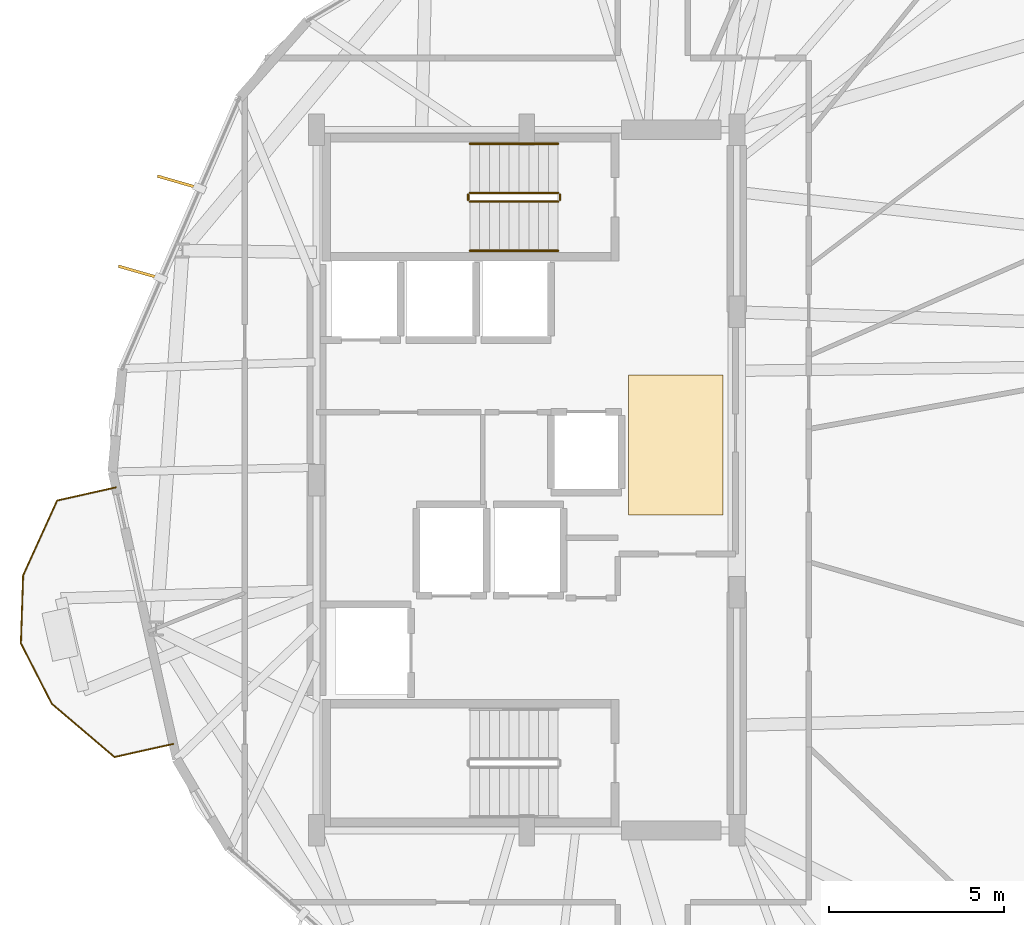
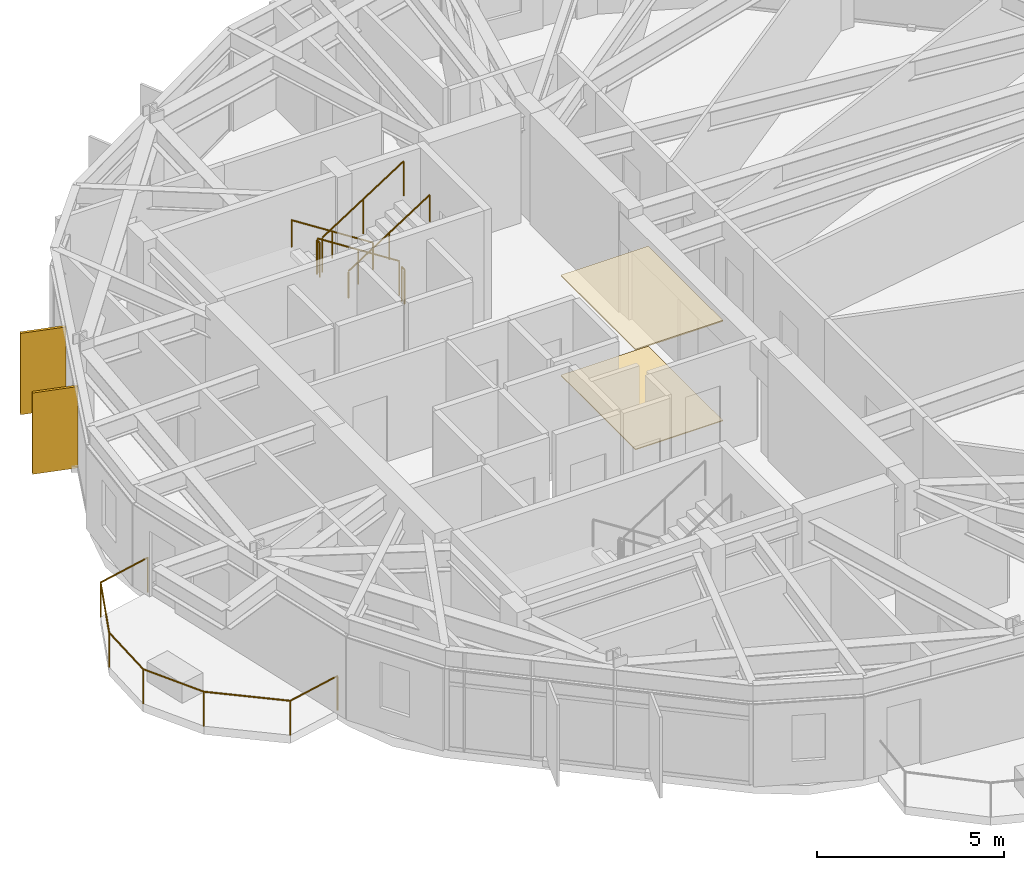
# One storey, part 20 of 21: 7 railings, 2 coverings, 2 shading devices.
"""IFC4 building model written with IfcOpenShell, lengths in metres."""

from ifc_helpers import new_model, si_unit, direction, frame, origin, origin_2d, place, context, subcontext, project, spatial, polyline, rectangle, circle, outline, extrude, material, layer, layer_set, type_object, element, save


model = new_model("IFC4")

# Units and contexts
model_context = context("Model", 3, precision=1e-05, world=origin(), true_north=direction((0.0, 1.0)))
body_context = subcontext(model_context, "Body", "Model", "MODEL_VIEW")
ifc_project = project(units=[si_unit("LENGTHUNIT", "METRE"), si_unit("AREAUNIT", "SQUARE_METRE"), si_unit("VOLUMEUNIT", "CUBIC_METRE"), si_unit("PLANEANGLEUNIT", "RADIAN"), si_unit("MASSUNIT", "GRAM", prefix="KILO")], contexts=[model_context])

# Site, building, storey
site_placement = place(None, origin())
site = spatial("IfcSite", under=ifc_project, at=site_placement, CompositionType="ELEMENT")
building_placement = place(site_placement, origin())
building = spatial("IfcBuilding", under=site, at=building_placement, Name="Soratama Intermodal Tower", CompositionType="ELEMENT")
storey_placement = place(building_placement, frame((0.0, 0.0, 146.199951171875)))
storey = spatial("IfcBuildingStorey", under=building, at=storey_placement, Name="L35", CompositionType="ELEMENT", Elevation=146.199951171875)

# Coverings
ifc_material_1 = material(Name="Perforated mineral acoustic ceiling", Category="concrete")
ifc_layer_1 = layer(ifc_material_1, 0.0400390625)
ifc_layer_set_1 = layer_set([ifc_layer_1], Name="Perforated mineral acoustic ceiling")
covering_type_1 = type_object("IfcCoveringType", Name="CV-CEIL-ACOUSTIC", PredefinedType="CEILING", material=ifc_layer_set_1)
covering_1_placement = place(storey_placement, frame((0.0, 0.0, 3.260009765625)))
element("IfcCovering", 1, at=covering_1_placement, inside=storey, type_object=covering_type_1, Name="L35 Acoustic Ceiling", PredefinedType="CEILING", context=body_context, shape_type="SweptSolid", body=[
    extrude(outline(polyline([(41.5, 24.0), (44.199951171875, 24.0), (44.199951171875, 28.0), (41.5, 28.0), (41.5, 24.0)])), origin(), (0.0, 0.0, 1.0), 0.0400390625),
])
ifc_material_2 = material(Name="Polished Andean stone terrazzo flooring", Category="masonry")
ifc_layer_2 = layer(ifc_material_2, 0.030029296875)
ifc_layer_set_2 = layer_set([ifc_layer_2], Name="Polished Andean stone terrazzo flooring")
covering_type_2 = type_object("IfcCoveringType", Name="CV-FLOR-TERRAZZO", PredefinedType="FLOORING", material=ifc_layer_set_2)
covering_2_placement = place(storey_placement, origin())
element("IfcCovering", 2, at=covering_2_placement, inside=storey, type_object=covering_type_2, Name="L35 Lobby Terrazzo Flooring", PredefinedType="FLOORING", context=body_context, shape_type="SweptSolid", body=[
    extrude(outline(polyline([(41.5, 24.0), (44.199951171875, 24.0), (44.199951171875, 28.0), (41.5, 28.0), (41.5, 24.0)])), origin(), (0.0, 0.0, 1.0), 0.030029296875),
])

# Railings
ifc_material_3 = material(Name="Laminated glass and stainless steel balustrade", Category="steel")
railing_type_1 = type_object("IfcRailingType", Name="RL-BAL-1150", PredefinedType="BALUSTRADE", material=ifc_material_3)
railing_1_placement = place(storey_placement, frame((28.51171875, 17.469482421875, 0.0)))
element("IfcRailing", 3, at=railing_1_placement, inside=storey, type_object=railing_type_1, Name="L35 Balcony Balustrade 3", PredefinedType="BALUSTRADE", context=body_context, shape_type="SweptSolid", body=[
    extrude(circle(Radius=0.02392578125, at=origin_2d()), frame((0.0, 0.0, 1.1259765625), z_axis=(-0.975909042289, -0.218177774254, 0.0), x_axis=(0.218177774254, -0.975909042289, 0.0)), (0.0, 0.0, 1.0), 1.719970703125),
    extrude(circle(Radius=0.02392578125, at=origin_2d()), frame((-1.678466796875, -0.375244140625, 1.1259765625), z_axis=(-0.76188292518, 0.647714758454, 0.0), x_axis=(-0.647714758454, -0.76188292518, 0.0)), (0.0, 0.0, 1.0), 2.35009765625),
    extrude(circle(Radius=0.02392578125, at=origin_2d()), frame((-3.468994140625, 1.14697265625, 1.1259765625), z_axis=(-0.455308608735, 0.890333685093, 0.0), x_axis=(-0.890333685093, -0.455308608735, 0.0)), (0.0, 0.0, 1.0), 1.937744140625),
    extrude(circle(Radius=0.02392578125, at=origin_2d()), frame((-4.351318359375, 2.872314453125, 1.1259765625), z_axis=(0.032882749958, 0.999459216154, 0.0), x_axis=(-0.999459216154, 0.032882749958, 0.0)), (0.0, 0.0, 1.0), 1.937744140625),
    extrude(circle(Radius=0.02392578125, at=origin_2d()), frame((-4.28759765625, 4.80908203125, 1.1259765625), z_axis=(0.413575944472, 0.910469625058, 0.0), x_axis=(-0.910469625058, 0.413575944472, 0.0)), (0.0, 0.0, 1.0), 2.35009765625),
    extrude(circle(Radius=0.02392578125, at=origin_2d()), frame((-3.315673828125, 6.94873046875, 1.1259765625), z_axis=(0.975909042289, 0.218177774254, 0.0), x_axis=(-0.218177774254, 0.975909042289, 0.0)), (0.0, 0.0, 1.0), 1.719970703125),
    extrude(circle(Radius=0.02099609375, at=origin_2d()), origin(), (0.0, 0.0, 1.0), 1.101806640625),
    extrude(circle(Radius=0.02099609375, at=origin_2d()), frame((-1.678466796875, -0.375244140625, 0.0)), (0.0, 0.0, 1.0), 1.101806640625),
    extrude(circle(Radius=0.02099609375, at=origin_2d()), frame((-3.468994140625, 1.14697265625, 0.0)), (0.0, 0.0, 1.0), 1.101806640625),
    extrude(circle(Radius=0.02099609375, at=origin_2d()), frame((-4.351318359375, 2.872314453125, 0.0)), (0.0, 0.0, 1.0), 1.101806640625),
    extrude(circle(Radius=0.02099609375, at=origin_2d()), frame((-4.28759765625, 4.80908203125, 0.0)), (0.0, 0.0, 1.0), 1.101806640625),
    extrude(circle(Radius=0.02099609375, at=origin_2d()), frame((-3.315673828125, 6.94873046875, 0.0)), (0.0, 0.0, 1.0), 1.101806640625),
    extrude(circle(Radius=0.02099609375, at=origin_2d()), frame((-1.63720703125, 7.323974609375, 0.0)), (0.0, 0.0, 1.0), 1.101806640625),
])
ifc_material_4 = material(Name="Painted steel stair guardrail", Category="steel")
railing_type_2 = type_object("IfcRailingType", Name="RL-STAIR-GUARD", PredefinedType="GUARDRAIL", material=ifc_material_4)
railing_2_placement = place(storey_placement, frame((39.5, 33.199951171875, 0.179931640625)))
element("IfcRailing", 4, at=railing_2_placement, inside=storey, type_object=railing_type_2, Name="L35 ST-2 stair guard 1", PredefinedType="GUARDRAIL", context=body_context, shape_type="SweptSolid", body=[
    extrude(circle(Radius=0.02392578125, at=origin_2d()), frame((0.0, 0.0, 1.1259765625), z_axis=(-0.841162588446, 0.0, 0.540782303519), x_axis=(0.0, -1.0, 0.0)), (0.0, 0.0, 1.0), 2.995849609375),
    extrude(circle(Radius=0.02099609375, at=origin_2d()), origin(), (0.0, 0.0, 1.0), 1.101806640625),
    extrude(circle(Radius=0.02099609375, at=origin_2d()), frame((-1.260009765625, 0.0, 0.81005859375)), (0.0, 0.0, 1.0), 1.101806640625),
    extrude(circle(Radius=0.02099609375, at=origin_2d()), frame((-2.52001953125, 0.0, 1.6201171875)), (0.0, 0.0, 1.0), 1.101806640625),
])
railing_3_placement = place(storey_placement, frame((36.929931640625, 33.14990234375, 1.800048828125)))
element("IfcRailing", 5, at=railing_3_placement, inside=storey, type_object=railing_type_2, Name="L35 ST-2 stair guard 2", PredefinedType="GUARDRAIL", context=body_context, shape_type="SweptSolid", body=[
    extrude(circle(Radius=0.02392578125, at=origin_2d()), frame((0.0, 0.0, 1.1259765625), z_axis=(0.0, -1.0, 0.0), x_axis=(1.0, 0.0, 0.0)), (0.0, 0.0, 1.0), 0.14990234375),
    extrude(circle(Radius=0.02099609375, at=origin_2d()), origin(), (0.0, 0.0, 1.0), 1.101806640625),
    extrude(circle(Radius=0.02099609375, at=origin_2d()), frame((0.0, -0.14990234375, 0.0)), (0.0, 0.0, 1.0), 1.101806640625),
])
railing_4_placement = place(storey_placement, frame((36.97998046875, 32.949951171875, 1.97998046875)))
element("IfcRailing", 6, at=railing_4_placement, inside=storey, type_object=railing_type_2, Name="L35 ST-2 stair guard 3", PredefinedType="GUARDRAIL", context=body_context, shape_type="SweptSolid", body=[
    extrude(circle(Radius=0.02392578125, at=origin_2d()), frame((0.0, 0.0, 1.1259765625), z_axis=(0.841162588446, 0.0, 0.540782303519), x_axis=(0.0, 1.0, 0.0)), (0.0, 0.0, 1.0), 2.995849609375),
    extrude(circle(Radius=0.02099609375, at=origin_2d()), origin(), (0.0, 0.0, 1.0), 1.101806640625),
    extrude(circle(Radius=0.02099609375, at=origin_2d()), frame((1.260009765625, 0.0, 0.81005859375)), (0.0, 0.0, 1.0), 1.101806640625),
    extrude(circle(Radius=0.02099609375, at=origin_2d()), frame((2.52001953125, 0.0, 1.6201171875)), (0.0, 0.0, 1.0), 1.101806640625),
])
railing_5_placement = place(storey_placement, frame((39.550048828125, 33.14990234375, 0.0)))
element("IfcRailing", 7, at=railing_5_placement, inside=storey, type_object=railing_type_2, Name="L35 ST-2 stair guard 4", PredefinedType="GUARDRAIL", context=body_context, shape_type="SweptSolid", body=[
    extrude(circle(Radius=0.02392578125, at=origin_2d()), frame((0.0, 0.0, 1.1259765625), z_axis=(0.0, -1.0, 0.0), x_axis=(1.0, 0.0, 0.0)), (0.0, 0.0, 1.0), 0.14990234375),
    extrude(circle(Radius=0.02099609375, at=origin_2d()), origin(), (0.0, 0.0, 1.0), 1.101806640625),
    extrude(circle(Radius=0.02099609375, at=origin_2d()), frame((0.0, -0.14990234375, 0.0)), (0.0, 0.0, 1.0), 1.101806640625),
])
ifc_material_5 = material(Name="Brushed stainless steel handrail", Category="steel")
railing_type_3 = type_object("IfcRailingType", Name="RL-STAIR-HAND", PredefinedType="HANDRAIL", material=ifc_material_5)
railing_6_placement = place(storey_placement, frame((39.5, 34.60009765625, 0.179931640625)))
element("IfcRailing", 8, at=railing_6_placement, inside=storey, type_object=railing_type_3, Name="L35 ST-2 stair handrail 1", PredefinedType="HANDRAIL", context=body_context, shape_type="SweptSolid", body=[
    extrude(circle(Radius=0.02392578125, at=origin_2d()), frame((0.0, 0.0, 0.8759765625), z_axis=(-0.841162588446, 0.0, 0.540782303519), x_axis=(0.0, -1.0, 0.0)), (0.0, 0.0, 1.0), 2.995849609375),
    extrude(circle(Radius=0.02099609375, at=origin_2d()), origin(), (0.0, 0.0, 1.0), 0.851806640625),
    extrude(circle(Radius=0.02099609375, at=origin_2d()), frame((-1.260009765625, 0.0, 0.81005859375)), (0.0, 0.0, 1.0), 0.851806640625),
    extrude(circle(Radius=0.02099609375, at=origin_2d()), frame((-2.52001953125, 0.0, 1.6201171875)), (0.0, 0.0, 1.0), 0.851806640625),
])
railing_7_placement = place(storey_placement, frame((36.97998046875, 31.550048828125, 1.97998046875)))
element("IfcRailing", 9, at=railing_7_placement, inside=storey, type_object=railing_type_3, Name="L35 ST-2 stair handrail 2", PredefinedType="HANDRAIL", context=body_context, shape_type="SweptSolid", body=[
    extrude(circle(Radius=0.02392578125, at=origin_2d()), frame((0.0, 0.0, 0.8759765625), z_axis=(0.841162588446, 0.0, 0.540782303519), x_axis=(0.0, 1.0, 0.0)), (0.0, 0.0, 1.0), 2.995849609375),
    extrude(circle(Radius=0.02099609375, at=origin_2d()), origin(), (0.0, 0.0, 1.0), 0.851806640625),
    extrude(circle(Radius=0.02099609375, at=origin_2d()), frame((1.260009765625, 0.0, 0.81005859375)), (0.0, 0.0, 1.0), 0.851806640625),
    extrude(circle(Radius=0.02099609375, at=origin_2d()), frame((2.52001953125, 0.0, 1.6201171875)), (0.0, 0.0, 1.0), 0.851806640625),
])

# Shading devices
ifc_material_6 = material(Name="Champagne anodised aluminium solar fin", Category="aluminium")
ifc_layer_3 = layer(ifc_material_6, 0.080078125)
ifc_layer_set_3 = layer_set([ifc_layer_3], Name="Champagne anodised aluminium solar fin")
shading_device_type = type_object("IfcShadingDeviceType", Name="SH-FIN-1250", PredefinedType="USERDEFINED", material=ifc_layer_set_3)
for number, where, z_axis, x_axis, name in (
    (10, (28.660888671875, 33.506103515625, 0.02001953125), (0.0, 0.0, 1.0), (-0.961357852961, 0.2753017954, 0.0), "L35 Solar Fin F04-1"),
    (11, (27.548095703125, 30.934814453125, 0.02001953125), (0.0, 0.0, 1.0), (-0.961357852961, 0.2753017954, 0.0), "L35 Solar Fin F04-2"),
):
    element("IfcShadingDevice", number, at=place(storey_placement, frame(where, z_axis=z_axis, x_axis=x_axis)), inside=storey, type_object=shading_device_type, Name=name, ObjectType="FIN", PredefinedType="USERDEFINED", context=body_context, shape_type="SweptSolid", body=[
        extrude(rectangle(XDim=1.25, YDim=0.080078125, at=origin_2d()), origin(), (0.0, 0.0, 1.0), 2.658935546875),
    ])

save(model, "model.ifc")
